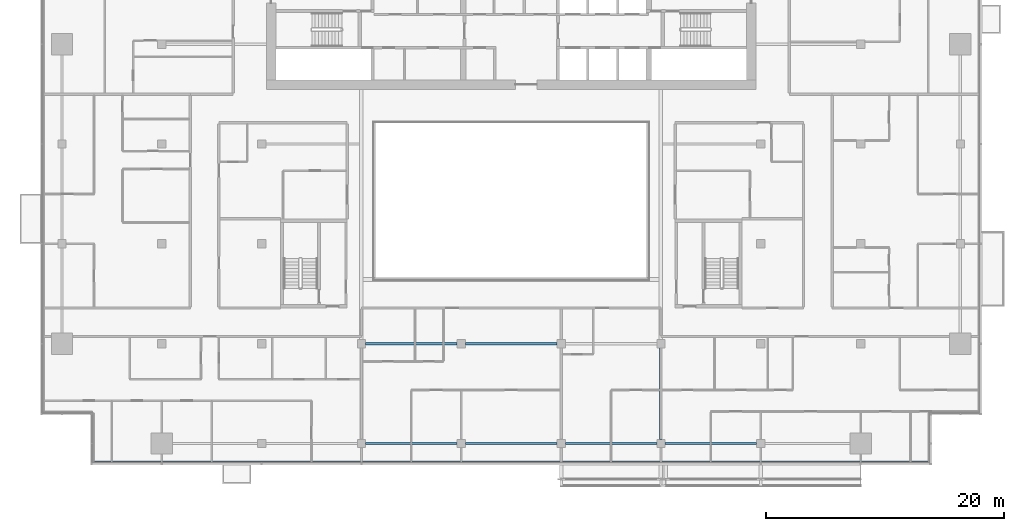
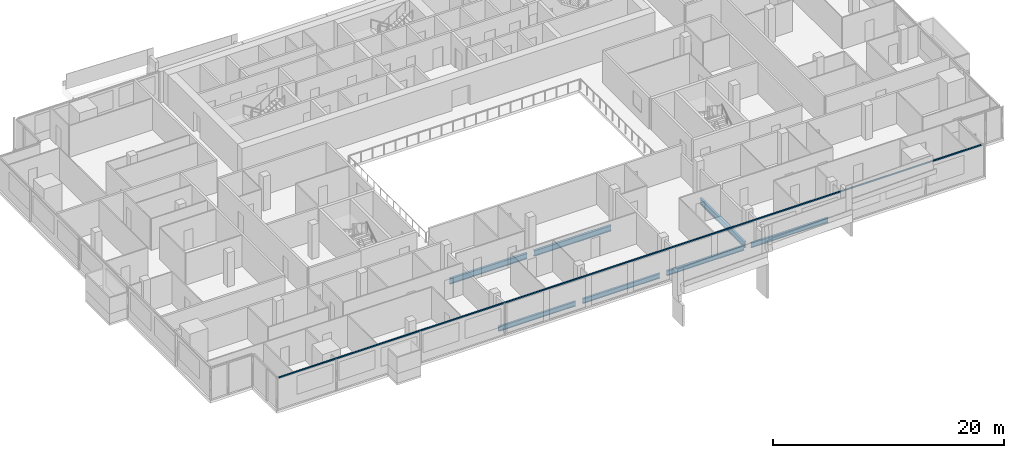
# One storey, part 5 of 28: 7 beams, 1 member, 1 element without a shape of its own.
"""IFC4 building model written with IfcOpenShell, lengths in metres."""

import ifcopenshell
import ifcopenshell.guid

model = None  # the IFC model being written
_history = None  # IfcOwnerHistory: only IFC2X3 demands one
_inside = {}  # id of a spatial element -> (the spatial element, [elements in it])
_under = {}  # id of a project, library or spatial element -> (it, [spatial elements below it])
_declared = {}  # id of a project -> (the project, [libraries it declares])
_typed = {}  # id of a type object -> (the type object, [elements of that type])
_made_of = {}  # id of a material, layer set ... -> (it, [elements and type objects made of it])


def new_model(schema):
    """Start an empty IFC model of exactly this schema.

    Asked for "IFC4X3", IfcOpenShell would pick the latest addendum, in which some entities
    have other attributes; the version numbers below select the first issue.
    IFC2X3 requires an IfcOwnerHistory on every rooted entity: one is made here for all.
    """
    global model, _history
    if schema == "IFC4X3":
        model = ifcopenshell.file(schema_version=(4, 3, 0, 0))
    else:
        model = ifcopenshell.file(schema=schema)
    _inside.clear()
    _under.clear()
    _declared.clear()
    _typed.clear()
    _made_of.clear()
    _history = None
    if model.schema == "IFC2X3":
        org = make("IfcOrganization", Name="unknown")
        user = make(
            "IfcPersonAndOrganization",
            ThePerson=make("IfcPerson", FamilyName="unknown"),
            TheOrganization=org,
        )
        app = make(
            "IfcApplication",
            ApplicationDeveloper=org,
            Version="unknown",
            ApplicationFullName="unknown",
            ApplicationIdentifier="unknown",
        )
        _history = make(
            "IfcOwnerHistory",
            OwningUser=user,
            OwningApplication=app,
            ChangeAction="ADDED",
            CreationDate=0,
        )
    return model


def make(cls, **values):
    """One entity of the class cls with the attributes given. An attribute that is None is left unset."""
    return model.create_entity(
        cls, **{name: value for name, value in values.items() if value is not None}
    )


def rooted(cls, **values):
    """An entity with a GlobalId (a new one), such as an element, a storey or a relation."""
    return make(cls, GlobalId=ifcopenshell.guid.new(), OwnerHistory=_history, **values)


def si_unit(unit_type, name, prefix=None):
    """IfcSIUnit, for example si_unit("LENGTHUNIT", "METRE", prefix="MILLI")."""
    return make("IfcSIUnit", UnitType=unit_type, Prefix=prefix, Name=name)


def assignment(units):
    """IfcUnitAssignment: the units of a project."""
    return None if units is None else make("IfcUnitAssignment", Units=units)


def point(xyz):
    """IfcCartesianPoint."""
    return None if xyz is None else make("IfcCartesianPoint", Coordinates=xyz)


def direction(xyz):
    """IfcDirection."""
    return None if xyz is None else make("IfcDirection", DirectionRatios=xyz)


def frame(location, z_axis=None, x_axis=None):
    """IfcAxis2Placement3D, a coordinate frame: its origin and axes. An axis left out is left unset."""
    return make(
        "IfcAxis2Placement3D",
        Location=point(location),
        Axis=direction(z_axis),
        RefDirection=direction(x_axis),
    )


def frame_2d(location, x_axis=None):
    """IfcAxis2Placement2D, a coordinate frame in the plane: its origin and x axis."""
    return make(
        "IfcAxis2Placement2D", Location=point(location), RefDirection=direction(x_axis)
    )


def origin():
    """The frame at (0, 0, 0) with its axes left unset."""
    return frame((0.0, 0.0, 0.0))


def origin_2d():
    """The frame at (0, 0) in the plane with its x axis left unset."""
    return frame_2d((0.0, 0.0))


def place(relative_to, where):
    """IfcLocalPlacement: puts the frame where relative to a parent placement (None: the world)."""
    return make(
        "IfcLocalPlacement", PlacementRelTo=relative_to, RelativePlacement=where
    )


def context(
    kind, dimensions, precision=None, world=None, true_north=None, identifier=None
):
    """IfcGeometricRepresentationContext, for example the 3D "Model" context."""
    return make(
        "IfcGeometricRepresentationContext",
        ContextIdentifier=identifier,
        ContextType=kind,
        CoordinateSpaceDimension=dimensions,
        Precision=precision,
        WorldCoordinateSystem=world,
        TrueNorth=true_north,
    )


def subcontext(parent, identifier, kind, view, scale=None):
    """IfcGeometricRepresentationSubContext, for example "Body" below "Model"."""
    return make(
        "IfcGeometricRepresentationSubContext",
        ContextIdentifier=identifier,
        ContextType=kind,
        ParentContext=parent,
        TargetScale=scale,
        TargetView=view,
    )


def project(units=None, contexts=None):
    """IfcProject with its units and contexts."""
    return rooted(
        "IfcProject",
        Name="project",
        RepresentationContexts=contexts,
        UnitsInContext=assignment(units),
    )


def spatial(cls, under=None, at=None, **own):
    """A site, building, storey or space (cls), placed at a placement, below another one or the project."""
    s = rooted(cls, ObjectPlacement=at, **own)
    if under is not None:
        _under.setdefault(under.id(), (under, []))[1].append(s)
    return s


def profile(cls, at=None, kind="AREA", **sizes):
    """A parametric profile (cls). Its sizes go by their IFC names, for example OverallWidth=200.0."""
    return make(cls, ProfileType=kind, Position=at, **sizes)


def rectangle(**sizes):
    """IfcRectangleProfileDef."""
    return profile("IfcRectangleProfileDef", **sizes)


def i_section(**sizes):
    """IfcIShapeProfileDef."""
    return profile("IfcIShapeProfileDef", **sizes)


def extrude(swept, where, along, depth):
    """IfcExtrudedAreaSolid: the profile swept, set in the frame where, extruded along a direction by depth."""
    return make(
        "IfcExtrudedAreaSolid",
        SweptArea=swept,
        Position=where,
        ExtrudedDirection=direction(along),
        Depth=depth,
    )


def shape(context_of_items, identifier, shape_type, items):
    """IfcShapeRepresentation: the items that make up one representation, for example the "Body"."""
    return make(
        "IfcShapeRepresentation",
        ContextOfItems=context_of_items,
        RepresentationIdentifier=identifier,
        RepresentationType=shape_type,
        Items=items,
    )


def material(Name=None, Category=None):
    """IfcMaterial."""
    return make("IfcMaterial", Name=Name, Category=Category)


def material_profile(
    of_material, cross_section, Name=None, Category=None, Priority=None
):
    """IfcMaterialProfile: a cross section and its material."""
    return make(
        "IfcMaterialProfile",
        Name=Name,
        Material=of_material,
        Profile=cross_section,
        Priority=Priority,
        Category=Category,
    )


def profile_set(profiles, Name=None, composite=None):
    """IfcMaterialProfileSet."""
    return make(
        "IfcMaterialProfileSet",
        Name=Name,
        MaterialProfiles=profiles,
        CompositeProfile=composite,
    )


def made_of(thing, what):
    """Note that an element or type object is made of a material, layer set ...; save() writes the relation."""
    if what is not None:
        _made_of.setdefault(what.id(), (what, []))[1].append(thing)
    return thing


def type_object(cls, material=None, **own):
    """A type object (cls), such as IfcWallType, which elements share."""
    return made_of(rooted(cls, **own), material)


def element(
    cls,
    number,
    at=None,
    inside=None,
    cuts=None,
    type_object=None,
    material=None,
    context=None,
    identifier="Body",
    shape_type=None,
    held_by="IfcProductDefinitionShape",
    body=None,
    shapes=None,
    **own,
):
    """One element of the class cls, such as IfcWall. Its Tag is "e" and its number.

    at: its placement. inside: the storey or other place that contains it. cuts: it is an
    opening in that element (IfcRelVoidsElement). A single representation is given by context,
    identifier, shape_type and body (its items); several are given by shapes. held_by: the class
    of the entity that holds the representations. save() writes the other relations.
    """
    e = rooted(cls, Tag="e%d" % number, ObjectPlacement=at, **own)
    if body is not None:
        shapes = [shape(context, identifier, shape_type, body)]
    if shapes is not None:
        e.Representation = make(held_by, Representations=shapes)
    if inside is not None:
        _inside.setdefault(inside.id(), (inside, []))[1].append(e)
    if cuts is not None:
        rooted(
            "IfcRelVoidsElement", RelatingBuildingElement=cuts, RelatedOpeningElement=e
        )
    if type_object is not None:
        _typed.setdefault(type_object.id(), (type_object, []))[1].append(e)
    return made_of(e, material)


def aggregate(whole, parts):
    """IfcRelAggregates: a whole, such as a stair, and the parts it consists of."""
    return rooted("IfcRelAggregates", RelatingObject=whole, RelatedObjects=parts)


def save(model, path):
    """Write the relations noted so far, then the file.

    IfcRelAggregates (storeys below a building ...), IfcRelContainedInSpatialStructure (elements
    in a storey), IfcRelDefinesByType, IfcRelAssociatesMaterial and IfcRelDeclares: one each for
    every whole, place, type object, material and project.
    """
    for whole, parts in _under.values():
        aggregate(whole, parts)
    for where, things in _inside.values():
        rooted(
            "IfcRelContainedInSpatialStructure",
            RelatedElements=things,
            RelatingStructure=where,
        )
    for kind, things in _typed.values():
        rooted("IfcRelDefinesByType", RelatedObjects=things, RelatingType=kind)
    for what, things in _made_of.values():
        rooted("IfcRelAssociatesMaterial", RelatedObjects=things, RelatingMaterial=what)
    for by, libraries in _declared.values():
        rooted("IfcRelDeclares", RelatingContext=by, RelatedDefinitions=libraries)
    model.write(path)


model = new_model("IFC4")

# Units and contexts
model_context = context("Model", 3, precision=1e-05, world=origin(), true_north=direction((0.0, 1.0)))
body_context = subcontext(model_context, "Body", "Model", "MODEL_VIEW")
ifc_project = project(units=[si_unit("LENGTHUNIT", "METRE"), si_unit("AREAUNIT", "SQUARE_METRE"), si_unit("VOLUMEUNIT", "CUBIC_METRE"), si_unit("PLANEANGLEUNIT", "RADIAN"), si_unit("MASSUNIT", "GRAM", prefix="KILO")], contexts=[model_context])

# Site, building, storey
site_placement = place(None, origin())
site = spatial("IfcSite", under=ifc_project, at=site_placement, CompositionType="ELEMENT")
building_placement = place(site_placement, origin())
building = spatial("IfcBuilding", under=site, at=building_placement, Name="Saffron Gate Tower", CompositionType="ELEMENT")
storey_placement = place(building_placement, frame((0.0, 0.0, 176.25)))
storey = spatial("IfcBuildingStorey", under=building, at=storey_placement, Name="L43", CompositionType="ELEMENT", Elevation=176.25)

# Beams
ifc_material_1 = material(Name="Structural steel S355", Category="steel")
ifc_material_profile_1 = material_profile(ifc_material_1, i_section(OverallWidth=0.199951171875, OverallDepth=0.5, WebThickness=0.01025390625, FlangeThickness=0.01611328125, FilletRadius=0.02099609375, at=origin_2d()))
ifc_profile_set_1 = profile_set([ifc_material_profile_1], Name="Structural steel S355")
beam_type_1 = type_object("IfcBeamType", Name="B11 IPE 500", PredefinedType="SPANDREL", material=ifc_profile_set_1)
for number, where, z_axis, x_axis, name in (
    (1, (75.35009765625, 31.800048828125, -0.530029296875), (1.0, 0.0, 0.0), (0.0, 1.0, 0.0), "B11 SPANDREL BEAM"),
    (2, (83.75, 31.800048828125, -0.530029296875), (1.0, 0.0, 0.0), (0.0, 1.0, 0.0), "B11 SPANDREL BEAM"),
):
    element("IfcBeam", number, at=place(storey_placement, frame(where, z_axis=z_axis, x_axis=x_axis)), inside=storey, type_object=beam_type_1, Name=name, PredefinedType="SPANDREL", context=body_context, shape_type="SweptSolid", body=[
        extrude(i_section(OverallWidth=0.199951171875, OverallDepth=0.5, WebThickness=0.01025390625, FlangeThickness=0.01611328125, FilletRadius=0.02099609375, at=origin_2d()), origin(), (0.0, 0.0, 1.0), 7.699951171875),
    ])
beam_1_placement = place(storey_placement, frame((92.14990234375, 31.800048828125, -0.530029296875), z_axis=(1.0, 0.0, 0.0), x_axis=(0.0, 1.0, 0.0)))
element("IfcBeam", 3, at=beam_1_placement, inside=storey, type_object=beam_type_1, Name="B11 SPANDREL BEAM", PredefinedType="SPANDREL", context=body_context, shape_type="SweptSolid", body=[
    extrude(i_section(OverallWidth=0.199951171875, OverallDepth=0.5, WebThickness=0.01025390625, FlangeThickness=0.01611328125, FilletRadius=0.02099609375, at=origin_2d()), origin(), (0.0, 0.0, 1.0), 7.7001953125),
])
beam_2_placement = place(storey_placement, frame((100.550048828125, 31.800048828125, -0.530029296875), z_axis=(1.0, 0.0, 0.0), x_axis=(0.0, 1.0, 0.0)))
element("IfcBeam", 4, at=beam_2_placement, inside=storey, type_object=beam_type_1, Name="B11 SPANDREL BEAM", PredefinedType="SPANDREL", context=body_context, shape_type="SweptSolid", body=[
    extrude(i_section(OverallWidth=0.199951171875, OverallDepth=0.5, WebThickness=0.01025390625, FlangeThickness=0.01611328125, FilletRadius=0.02099609375, at=origin_2d()), origin(), (0.0, 0.0, 1.0), 7.699951171875),
])
ifc_material_profile_2 = material_profile(ifc_material_1, i_section(OverallWidth=0.219970703125, OverallDepth=0.60009765625, WebThickness=0.011962890625, FlangeThickness=0.01904296875, FilletRadius=0.02392578125, at=origin_2d()))
ifc_profile_set_2 = profile_set([ifc_material_profile_2], Name="Structural steel S355")
beam_type_2 = type_object("IfcBeamType", Name="B15 IPE 600", PredefinedType="BEAM", material=ifc_profile_set_2)
beam_3_placement = place(storey_placement, frame((100.199951171875, 32.14990234375, -0.580078125), z_axis=(0.0, 1.0, 0.0), x_axis=(-1.0, 0.0, 0.0)))
element("IfcBeam", 5, at=beam_3_placement, inside=storey, type_object=beam_type_2, Name="B15 FLOOR GIRDER", PredefinedType="BEAM", context=body_context, shape_type="SweptSolid", body=[
    extrude(i_section(OverallWidth=0.219970703125, OverallDepth=0.60009765625, WebThickness=0.011962890625, FlangeThickness=0.01904296875, FilletRadius=0.02392578125, at=origin_2d()), origin(), (0.0, 0.0, 1.0), 7.7001953125),
])
for number, where, z_axis, x_axis, name in (
    (6, (75.35009765625, 40.199951171875, -0.580078125), (1.0, 0.0, 0.0), (0.0, 1.0, 0.0), "B15 FLOOR GIRDER"),
    (7, (83.75, 40.199951171875, -0.580078125), (1.0, 0.0, 0.0), (0.0, 1.0, 0.0), "B15 FLOOR GIRDER"),
):
    element("IfcBeam", number, at=place(storey_placement, frame(where, z_axis=z_axis, x_axis=x_axis)), inside=storey, type_object=beam_type_2, Name=name, PredefinedType="BEAM", context=body_context, shape_type="SweptSolid", body=[
        extrude(i_section(OverallWidth=0.219970703125, OverallDepth=0.60009765625, WebThickness=0.011962890625, FlangeThickness=0.01904296875, FilletRadius=0.02392578125, at=origin_2d()), origin(), (0.0, 0.0, 1.0), 7.699951171875),
    ])

# Curtain wall, member
ifc_material_2 = material(Name="Aluminium, bronze anodised", Category="aluminium")
curtain_wall_type = type_object("IfcCurtainWallType", Name="CWS1 curtain wall front facade", PredefinedType="NOTDEFINED", material=ifc_material_2)
curtain_wall_placement = place(storey_placement, origin())
curtain_wall = element("IfcCurtainWall", 8, at=curtain_wall_placement, inside=storey, type_object=curtain_wall_type, Name="CWS1 run 1", PredefinedType="NOTDEFINED")
ifc_material_profile_3 = material_profile(ifc_material_2, rectangle(XDim=0.1201171875, YDim=0.1201171875, at=origin_2d()))
ifc_profile_set_3 = profile_set([ifc_material_profile_3], Name="Aluminium, bronze anodised")
member_type = type_object("IfcMemberType", Name="CWS1 head transom", PredefinedType="USERDEFINED", material=ifc_profile_set_3)
member_placement = place(storey_placement, frame((52.568115234375, 30.248046875, 3.260009765625), z_axis=(1.0, 0.0, 0.0), x_axis=(0.0, 1.0, 0.0)))
member = element("IfcMember", 9, at=member_placement, type_object=member_type, Name="CWS1 head transom", ObjectType="TRANSOM", PredefinedType="USERDEFINED", context=body_context, shape_type="SweptSolid", body=[
    extrude(rectangle(XDim=0.1201171875, YDim=0.1201171875, at=origin_2d()), origin(), (0.0, 0.0, 1.0), 70.06396484375),
])
aggregate(curtain_wall, [member])

save(model, "model.ifc")
